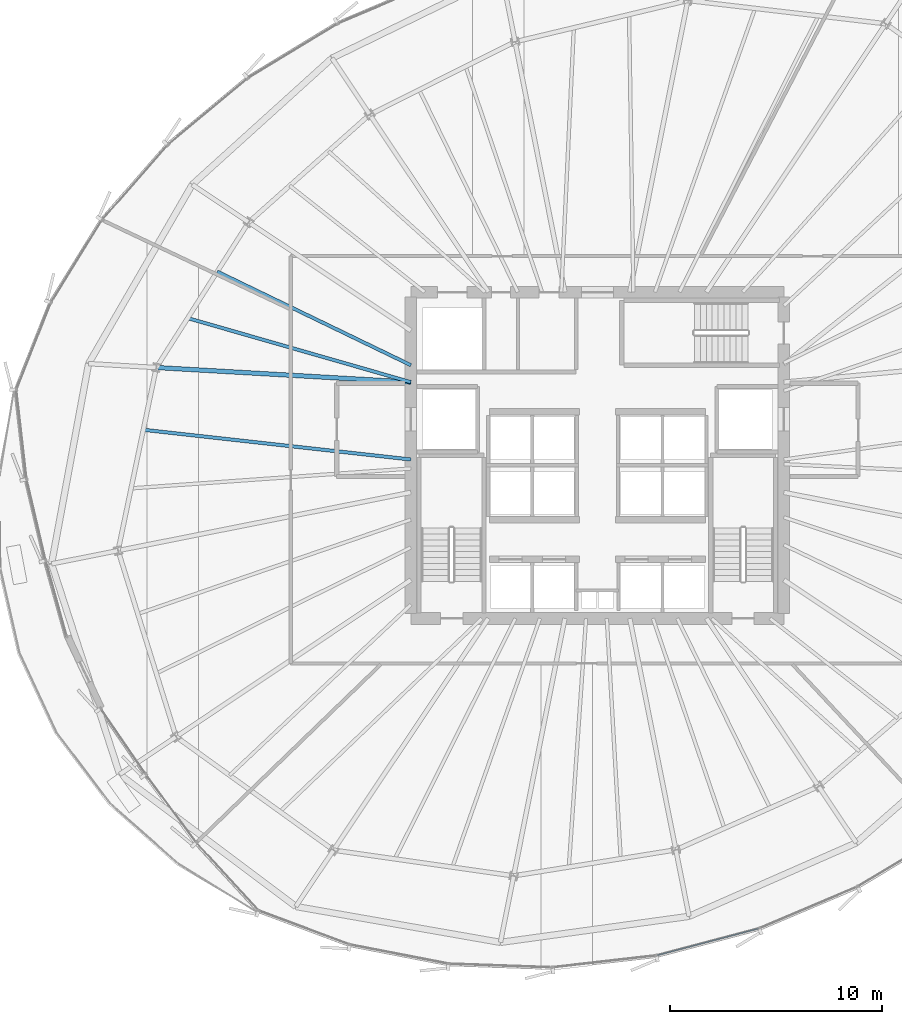
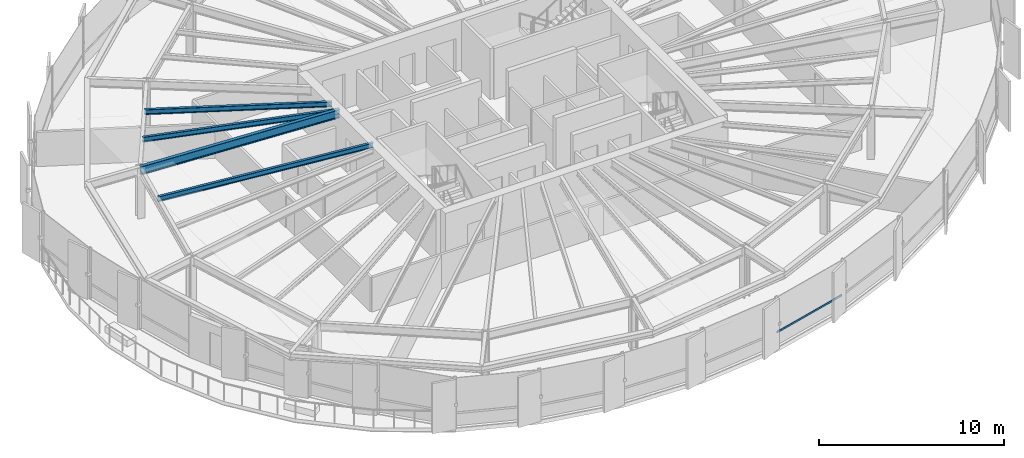
# One storey, part 11 of 33: 4 beams, 1 member, 1 element without a shape of its own.
"""IFC4 building model written with IfcOpenShell, lengths in metres."""

from ifc_helpers import new_model, si_unit, direction, frame, origin, origin_2d, place, context, subcontext, project, spatial, hollow_rectangle, i_section, extrude, source, transform, mapped, material, layer, layer_set, material_profile, profile_set, type_object, element, aggregate, save


model = new_model("IFC4")

# Units and contexts
model_context = context("Model", 3, precision=1e-05, world=origin(), true_north=direction((0.0, 1.0)))
body_context = subcontext(model_context, "Body", "Model", "MODEL_VIEW")
ifc_project = project(units=[si_unit("LENGTHUNIT", "METRE"), si_unit("AREAUNIT", "SQUARE_METRE"), si_unit("VOLUMEUNIT", "CUBIC_METRE"), si_unit("PLANEANGLEUNIT", "RADIAN"), si_unit("MASSUNIT", "GRAM", prefix="KILO"), si_unit("THERMODYNAMICTEMPERATUREUNIT", "KELVIN")], contexts=[model_context])

# Site, building, storey
site_placement = place(None, origin())
site = spatial("IfcSite", under=ifc_project, at=site_placement, CompositionType="ELEMENT")
building_placement = place(site_placement, origin())
building = spatial("IfcBuilding", under=site, at=building_placement, Name="Kethvar Cultural Tower", CompositionType="ELEMENT")
storey_placement = place(building_placement, frame((0.0, 0.0, 110.800048828125)))
storey = spatial("IfcBuildingStorey", under=building, at=storey_placement, Name="L27", CompositionType="ELEMENT", Elevation=110.800048828125)

# Beams
ifc_material_1 = material(Name="Steel S355J2", Category="steel")
ifc_material_profile_1 = material_profile(ifc_material_1, i_section(OverallWidth=0.2099609375, OverallDepth=0.550048828125, WebThickness=0.010986328125, FlangeThickness=0.01708984375, FilletRadius=0.02392578125, at=origin_2d()), Name="Steel S355J2 — IPE550")
ifc_profile_set_1 = profile_set([ifc_material_profile_1], Name="Steel S355J2 — IPE550")
beam_type_1 = type_object("IfcBeamType", Name="BM-IPE550", PredefinedType="BEAM", material=ifc_profile_set_1)
shared_shape_1 = source(origin(), body_context, "Body", "SweptSolid", [
    extrude(i_section(OverallWidth=0.2099609375, OverallDepth=0.550048828125, WebThickness=0.010986328125, FlangeThickness=0.01708984375, FilletRadius=0.02392578125, at=origin_2d()), origin(), (0.0, 0.0, 1.0), 12.03125),
])
beam_1_placement = place(storey_placement, frame((38.0, 31.25, 3.072998046875), z_axis=(-0.998355544741, 0.057325441856, 0.0), x_axis=(-0.057325441856, -0.998355544741, 0.0)))
element("IfcBeam", 1, at=beam_1_placement, inside=storey, type_object=beam_type_1, Name="L27 Primary Radial Beam RB-08", PredefinedType="BEAM", context=body_context, shape_type="MappedRepresentation", body=[
    mapped(shared_shape_1, transform((0.0, 0.0, 0.0), scale=1.0)),
])
ifc_material_profile_2 = material_profile(ifc_material_1, i_section(OverallWidth=0.159912109375, OverallDepth=0.330078125, WebThickness=0.007568359375, FlangeThickness=0.011474609375, FilletRadius=0.01806640625, at=origin_2d()), Name="Steel S355J2 — IPE330")
ifc_profile_set_2 = profile_set([ifc_material_profile_2], Name="Steel S355J2 — IPE330")
beam_type_2 = type_object("IfcBeamType", Name="BM-J330", PredefinedType="JOIST", material=ifc_profile_set_2)
shared_shape_2 = source(origin(), body_context, "Body", "SweptSolid", [
    extrude(i_section(OverallWidth=0.159912109375, OverallDepth=0.330078125, WebThickness=0.007568359375, FlangeThickness=0.011474609375, FilletRadius=0.01806640625, at=origin_2d()), origin(), (0.0, 0.0, 1.0), 10.1455078125),
])
beam_2_placement = place(storey_placement, frame((38.0, 32.05078125, 3.182861328125), z_axis=(-0.90045122575, 0.434956997927, 0.0), x_axis=(-0.434956997927, -0.90045122575, 0.0)))
element("IfcBeam", 2, at=beam_2_placement, inside=storey, type_object=beam_type_2, Name="L27 Composite Floor Joist J-07A", PredefinedType="JOIST", context=body_context, shape_type="MappedRepresentation", body=[
    mapped(shared_shape_2, transform((0.0, 0.0, 0.0), scale=1.0)),
])
shared_shape_3 = source(origin(), body_context, "Body", "SweptSolid", [
    extrude(i_section(OverallWidth=0.159912109375, OverallDepth=0.330078125, WebThickness=0.007568359375, FlangeThickness=0.011474609375, FilletRadius=0.01806640625, at=origin_2d()), origin(), (0.0, 0.0, 1.0), 10.95458984375),
])
beam_3_placement = place(storey_placement, frame((38.0, 31.25, 3.182861328125), z_axis=(-0.96124170623, 0.275707058676, 0.0), x_axis=(-0.275707058676, -0.96124170623, 0.0)))
element("IfcBeam", 3, at=beam_3_placement, inside=storey, type_object=beam_type_2, Name="L27 Composite Floor Joist J-07B", PredefinedType="JOIST", context=body_context, shape_type="MappedRepresentation", body=[
    mapped(shared_shape_3, transform((0.0, 0.0, 0.0), scale=1.0)),
])
shared_shape_4 = source(origin(), body_context, "Body", "SweptSolid", [
    extrude(i_section(OverallWidth=0.159912109375, OverallDepth=0.330078125, WebThickness=0.007568359375, FlangeThickness=0.011474609375, FilletRadius=0.01806640625, at=origin_2d()), origin(), (0.0, 0.0, 1.0), 12.7021484375),
])
beam_4_placement = place(storey_placement, frame((38.0, 27.60009765625, 3.182861328125), z_axis=(-0.993884906591, 0.110420978309, 0.0), x_axis=(-0.110420978309, -0.993884906591, 0.0)))
element("IfcBeam", 4, at=beam_4_placement, inside=storey, type_object=beam_type_2, Name="L27 Composite Floor Joist J-08A", PredefinedType="JOIST", context=body_context, shape_type="MappedRepresentation", body=[
    mapped(shared_shape_4, transform((0.0, 0.0, 0.0), scale=1.0)),
])

# Curtain wall, member
ifc_material_2 = material(Name="Aluminium 6063-T6", Category="aluminium")
ifc_layer = layer(ifc_material_2, 0.179931640625, Name="Aluminium 6063-T6", Category="aluminium")
ifc_layer_set = layer_set([ifc_layer], Name="Aluminium 6063-T6 (180 mm)")
curtain_wall_type = type_object("IfcCurtainWallType", Name="CW-SYS-03-Z2", PredefinedType="NOTDEFINED", material=ifc_layer_set)
curtain_wall_placement = place(storey_placement, origin())
curtain_wall = element("IfcCurtainWall", 5, at=curtain_wall_placement, inside=storey, type_object=curtain_wall_type, Name="L27 Curtain Wall Run 05", PredefinedType="NOTDEFINED")
ifc_material_profile_3 = material_profile(ifc_material_2, hollow_rectangle(XDim=0.054931640625, YDim=0.1201171875, WallThickness=0.00390625, at=origin_2d()), Name="Aluminium 6063-T6 — RHS120x55x4")
ifc_profile_set_3 = profile_set([ifc_material_profile_3], Name="Aluminium 6063-T6 — RHS120x55x4")
member_type = type_object("IfcMemberType", Name="CW-SYS-03-Z2-TRN", PredefinedType="USERDEFINED", material=ifc_profile_set_3)
shared_shape_5 = source(origin(), body_context, "Body", "SweptSolid", [
    extrude(hollow_rectangle(XDim=0.054931640625, YDim=0.1201171875, WallThickness=0.00390625, at=origin_2d()), origin(), (0.0, 0.0, 1.0), 4.948486328125),
])
member_placement = place(storey_placement, frame((49.6240234375, 4.206298828125, 0.949951171875), z_axis=(0.966832535403, 0.255411136183, 0.0), x_axis=(-0.255411136183, 0.966832535403, 0.0)))
member = element("IfcMember", 6, at=member_placement, type_object=member_type, Name="CW-L27-R05 Transom 2", ObjectType="TRANSOM", PredefinedType="USERDEFINED", context=body_context, shape_type="MappedRepresentation", body=[
    mapped(shared_shape_5, transform((0.0, 0.0, 0.0), scale=1.0)),
])
aggregate(curtain_wall, [member])

save(model, "model.ifc")
